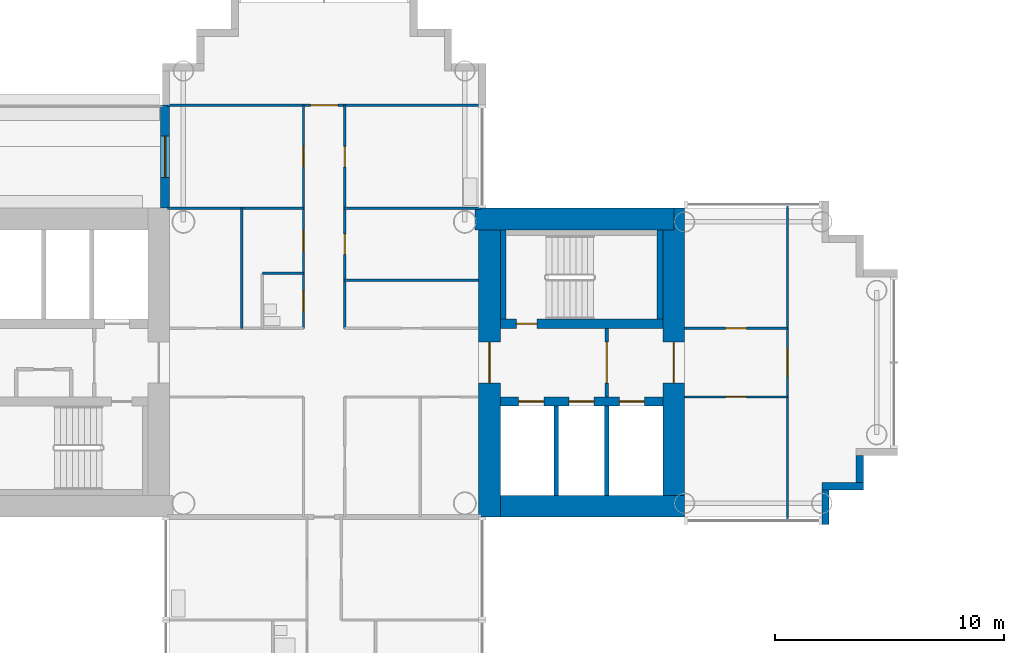
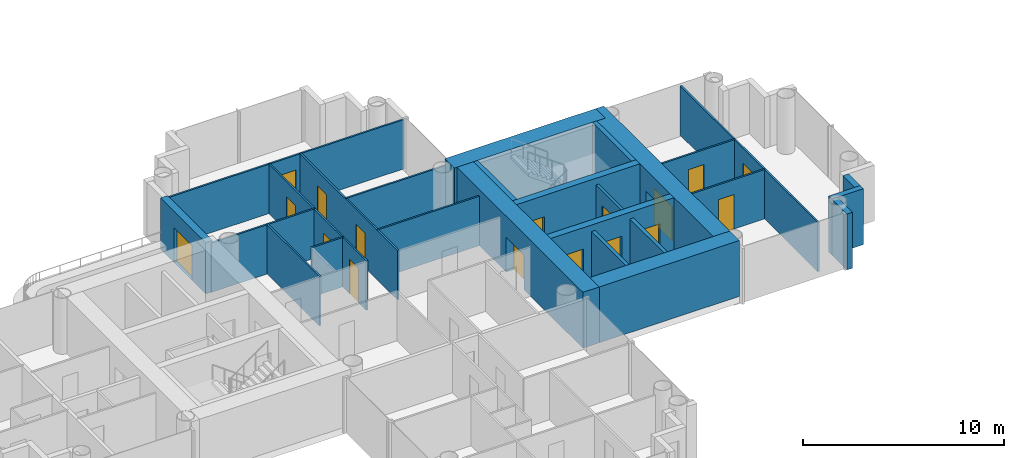
# One storey, part 11 of 22: 26 walls, 17 doors, 17 openings.
"""IFC4 building model written with IfcOpenShell, lengths in metres."""

from ifc_helpers import new_model, si_unit, direction, frame, frame_2d, origin, place, context, subcontext, project, spatial, rectangle, extrude, material, layer, layer_set, type_object, element, fill, save


model = new_model("IFC4")

# Units and contexts
model_context = context("Model", 3, precision=1e-05, world=origin(), true_north=direction((0.0, 1.0)))
body_context = subcontext(model_context, "Body", "Model", "MODEL_VIEW")
ifc_project = project(units=[si_unit("LENGTHUNIT", "METRE"), si_unit("AREAUNIT", "SQUARE_METRE"), si_unit("VOLUMEUNIT", "CUBIC_METRE"), si_unit("PLANEANGLEUNIT", "RADIAN"), si_unit("MASSUNIT", "GRAM", prefix="KILO")], contexts=[model_context])

# Site, building, storey
site_placement = place(None, origin())
site = spatial("IfcSite", under=ifc_project, at=site_placement, CompositionType="ELEMENT")
building_placement = place(site_placement, origin())
building = spatial("IfcBuilding", under=site, at=building_placement, Name="Ipe Terrace Towers", CompositionType="ELEMENT")
storey_placement = place(building_placement, frame((0.0, 0.0, 90.199951171875)))
storey = spatial("IfcBuildingStorey", under=building, at=storey_placement, Name="L24", CompositionType="ELEMENT", Elevation=90.199951171875)

# Wall, opening, door
ifc_material_1 = material(Name="Concrete C40/50 with buff precast cladding", Category="concrete")
ifc_layer_1 = layer(ifc_material_1, 0.39990234375)
ifc_layer_set_1 = layer_set([ifc_layer_1], Name="BALCONY BAY WALL 400")
wall_type_1 = type_object("IfcWallType", Name="BALCONY BAY WALL 400", PredefinedType="STANDARD", material=ifc_layer_set_1)
wall_1_placement = place(storey_placement, frame((-42.949951171875, 11.25, -0.02001953125), z_axis=(0.0, 0.0, 1.0), x_axis=(0.0, -1.0, 0.0)))
wall_1 = element("IfcWall", 1, at=wall_1_placement, inside=storey, type_object=wall_type_1, Name="T1-W-L24-44a wall", PredefinedType="STANDARD", context=body_context, shape_type="SweptSolid", body=[
    extrude(rectangle(XDim=4.5, YDim=0.39990234375, at=frame_2d((2.25, 0.0))), origin(), (0.0, 0.0, 1.0), 3.1201171875),
])
opening_1_placement = place(wall_1_placement, frame((1.35009765625, 0.0, 0.02001953125)))
opening_1 = element("IfcOpeningElement", 2, at=opening_1_placement, cuts=wall_1, Name="Opening T1-D-L24-44", PredefinedType="OPENING", context=body_context, shape_type="SweptSolid", body=[
    extrude(rectangle(XDim=1.800048828125, YDim=2.10009765625, at=frame_2d((0.89990234375, 1.050048828125))), frame((0.0, 0.2099609375, 0.0), z_axis=(0.0, -1.0, 0.0), x_axis=(1.0, 0.0, 0.0)), (0.0, 0.0, 1.0), 0.419921875),
])
ifc_material_2 = material(Name="Aluminium alloy 6063-T6 framed glazed door", Category="aluminium")
door_type_1 = type_object("IfcDoorType", Name="BALCONY DOOR 1800 x 2100 LEFT", OperationType="SINGLE_SWING_LEFT", PredefinedType="DOOR", material=ifc_material_2)
door_1_placement = place(opening_1_placement, origin())
door_1 = element("IfcDoor", 3, at=door_1_placement, inside=storey, type_object=door_type_1, Name="DB1 door", OperationType="SINGLE_SWING_LEFT", OverallHeight=2.10009765625, OverallWidth=1.800048828125, PredefinedType="DOOR", context=body_context, shape_type="SweptSolid", body=[
    extrude(rectangle(XDim=1.800048828125, YDim=2.10009765625, at=frame_2d((0.89990234375, 1.050048828125))), frame((0.0, 0.02490234375, 0.0), z_axis=(0.0, -1.0, 0.0), x_axis=(1.0, 0.0, 0.0)), (0.0, 0.0, 1.0), 0.050048828125),
])
fill(opening_1, door_1)

# Walls
ifc_material_3 = material(Name="Concrete C40/50 with buff precast cladding", Category="concrete")
ifc_layer_2 = layer(ifc_material_3, 0.320068359375)
ifc_layer_set_2 = layer_set([ifc_layer_2], Name="BUFF CLADDING WALL 320")
wall_type_2 = type_object("IfcWallType", Name="BUFF CLADDING WALL 320", PredefinedType="STANDARD", material=ifc_layer_set_2)
wall_2_placement = place(storey_placement, frame((-14.090087890625, -7.070068359375, -0.300048828125), z_axis=(0.0, 0.0, 1.0), x_axis=(0.0, 1.0, 0.0)))
element("IfcWall", 4, at=wall_2_placement, inside=storey, type_object=wall_type_2, Name="T1-W-L24-21a wall", PredefinedType="STANDARD", context=body_context, shape_type="SweptSolid", body=[
    extrude(rectangle(XDim=1.5, YDim=0.320068359375, at=frame_2d((0.75, 0.0))), origin(), (0.0, 0.0, 1.0), 3.400146484375),
])
wall_3_placement = place(storey_placement, frame((-14.25, -5.409912109375, -0.300048828125), z_axis=(0.0, 0.0, 1.0), x_axis=(1.0, 0.0, 0.0)))
element("IfcWall", 5, at=wall_3_placement, inside=storey, type_object=wall_type_2, Name="T1-W-L24-22a wall", PredefinedType="STANDARD", context=body_context, shape_type="SweptSolid", body=[
    extrude(rectangle(XDim=1.820068359375, YDim=0.320068359375, at=frame_2d((0.91015625, 0.0))), origin(), (0.0, 0.0, 1.0), 3.400146484375),
])
wall_4_placement = place(storey_placement, frame((-12.590087890625, -5.25, -0.300048828125), z_axis=(0.0, 0.0, 1.0), x_axis=(0.0, 1.0, 0.0)))
element("IfcWall", 6, at=wall_4_placement, inside=storey, type_object=wall_type_2, Name="T1-W-L24-23a wall", PredefinedType="STANDARD", context=body_context, shape_type="SweptSolid", body=[
    extrude(rectangle(XDim=1.179931640625, YDim=0.320068359375, at=frame_2d((0.58984375, 0.0))), origin(), (0.0, 0.0, 1.0), 3.400146484375),
])
ifc_material_4 = material(Name="Gypsum board partition", Category="plasterboard")
ifc_layer_3 = layer(ifc_material_4, 0.10009765625)
ifc_layer_set_3 = layer_set([ifc_layer_3], Name="Gypsum board partition 100 mm")
wall_type_3 = type_object("IfcWallType", Name="Gypsum board partition 100 mm", PredefinedType="PARTITIONING", material=ifc_layer_set_3)
wall_5_placement = place(storey_placement, frame((-39.60009765625, 1.5, 0.0), z_axis=(0.0, 0.0, 1.0), x_axis=(0.0, 1.0, 0.0)))
element("IfcWall", 7, at=wall_5_placement, inside=storey, type_object=wall_type_3, Name="Gypsum board partition T1 L24 W04", PredefinedType="PARTITIONING", context=body_context, shape_type="SweptSolid", body=[
    extrude(rectangle(XDim=5.25, YDim=0.10009765625, at=frame_2d((2.625, 0.0))), origin(), (0.0, 0.0, 1.0), 3.0),
])

# Wall, openings, doors
wall_6_placement = place(storey_placement, frame((-36.89990234375, 1.5, 0.0), z_axis=(0.0, 0.0, 1.0), x_axis=(0.0, 1.0, 0.0)))
wall_6 = element("IfcWall", 8, at=wall_6_placement, inside=storey, type_object=wall_type_3, Name="Gypsum board partition T1 L24 W08", PredefinedType="PARTITIONING", context=body_context, shape_type="SweptSolid", body=[
    extrude(rectangle(XDim=9.75, YDim=0.10009765625, at=frame_2d((4.875, 0.0))), origin(), (0.0, 0.0, 1.0), 3.0),
])
opening_2_placement = place(wall_6_placement, frame((0.75, 0.0, 0.0)))
opening_2 = element("IfcOpeningElement", 9, at=opening_2_placement, cuts=wall_6, Name="Opening T1-Z2C-01", PredefinedType="OPENING", context=body_context, shape_type="SweptSolid", body=[
    extrude(rectangle(XDim=0.89990234375, YDim=2.10009765625, at=frame_2d((0.449951171875, 1.050048828125))), frame((0.0, 0.06005859375, 0.0), z_axis=(0.0, -1.0, 0.0), x_axis=(1.0, 0.0, 0.0)), (0.0, 0.0, 1.0), 0.1201171875),
])
opening_3_placement = place(wall_6_placement, frame((3.375, 0.0, 0.0)))
opening_3 = element("IfcOpeningElement", 10, at=opening_3_placement, cuts=wall_6, Name="Opening T1-Z2C-04", PredefinedType="OPENING", context=body_context, shape_type="SweptSolid", body=[
    extrude(rectangle(XDim=0.89990234375, YDim=2.10009765625, at=frame_2d((0.449951171875, 1.050048828125))), frame((0.0, 0.06005859375, 0.0), z_axis=(0.0, -1.0, 0.0), x_axis=(1.0, 0.0, 0.0)), (0.0, 0.0, 1.0), 0.1201171875),
])
opening_4_placement = place(wall_6_placement, frame((7.050048828125, 0.0, 0.0)))
opening_4 = element("IfcOpeningElement", 11, at=opening_4_placement, cuts=wall_6, Name="Opening T1-Z2C-09", PredefinedType="OPENING", context=body_context, shape_type="SweptSolid", body=[
    extrude(rectangle(XDim=0.89990234375, YDim=2.10009765625, at=frame_2d((0.449951171875, 1.050048828125))), frame((0.0, 0.06005859375, 0.0), z_axis=(0.0, -1.0, 0.0), x_axis=(1.0, 0.0, 0.0)), (0.0, 0.0, 1.0), 0.1201171875),
])
ifc_material_5 = material(Name="Timber door leaf", Category="wood")
door_type_2 = type_object("IfcDoorType", Name="Bathroom door 900 x 2100", OperationType="NOTDEFINED", PredefinedType="DOOR", material=ifc_material_5)
door_2_placement = place(opening_2_placement, origin())
door_2 = element("IfcDoor", 12, at=door_2_placement, inside=storey, type_object=door_type_2, Name="Bathroom door T1-Z2C-01", OperationType="SINGLE_SWING_RIGHT", OverallHeight=2.10009765625, OverallWidth=0.89990234375, PredefinedType="DOOR", context=body_context, shape_type="SweptSolid", body=[
    extrude(rectangle(XDim=0.89990234375, YDim=2.10009765625, at=frame_2d((0.449951171875, 1.050048828125))), frame((0.0, 0.02490234375, 0.0), z_axis=(0.0, -1.0, 0.0), x_axis=(1.0, 0.0, 0.0)), (0.0, 0.0, 1.0), 0.050048828125),
])
fill(opening_2, door_2)
ifc_material_6 = material(Name="Timber door leaf", Category="wood")
door_type_3 = type_object("IfcDoorType", Name="Lounge door 900 x 2100", OperationType="NOTDEFINED", PredefinedType="DOOR", material=ifc_material_6)
door_3_placement = place(opening_3_placement, origin())
door_3 = element("IfcDoor", 13, at=door_3_placement, inside=storey, type_object=door_type_3, Name="Lounge door T1-Z2C-04", OperationType="SINGLE_SWING_RIGHT", OverallHeight=2.10009765625, OverallWidth=0.89990234375, PredefinedType="DOOR", context=body_context, shape_type="SweptSolid", body=[
    extrude(rectangle(XDim=0.89990234375, YDim=2.10009765625, at=frame_2d((0.449951171875, 1.050048828125))), frame((0.0, 0.02490234375, 0.0), z_axis=(0.0, -1.0, 0.0), x_axis=(1.0, 0.0, 0.0)), (0.0, 0.0, 1.0), 0.050048828125),
])
fill(opening_3, door_3)
door_4_placement = place(opening_4_placement, origin())
door_4 = element("IfcDoor", 14, at=door_4_placement, inside=storey, type_object=door_type_3, Name="Lounge door T1-Z2C-09", OperationType="SINGLE_SWING_LEFT", OverallHeight=2.10009765625, OverallWidth=0.89990234375, PredefinedType="DOOR", context=body_context, shape_type="SweptSolid", body=[
    extrude(rectangle(XDim=0.89990234375, YDim=2.10009765625, at=frame_2d((0.449951171875, 1.050048828125))), frame((0.0, 0.02490234375, 0.0), z_axis=(0.0, -1.0, 0.0), x_axis=(1.0, 0.0, 0.0)), (0.0, 0.0, 1.0), 0.050048828125),
])
fill(opening_4, door_4)

wall_7_placement = place(storey_placement, frame((-35.10009765625, 1.5, 0.0), z_axis=(0.0, 0.0, 1.0), x_axis=(0.0, 1.0, 0.0)))
wall_7 = element("IfcWall", 15, at=wall_7_placement, inside=storey, type_object=wall_type_3, Name="Gypsum board partition T1 L24 W12", PredefinedType="PARTITIONING", context=body_context, shape_type="SweptSolid", body=[
    extrude(rectangle(XDim=9.75, YDim=0.10009765625, at=frame_2d((4.875, 0.0))), origin(), (0.0, 0.0, 1.0), 3.0),
])
opening_5_placement = place(wall_7_placement, frame((3.22509765625, 0.0, 0.0)))
opening_5 = element("IfcOpeningElement", 16, at=opening_5_placement, cuts=wall_7, Name="Opening T1-Z2C-03", PredefinedType="OPENING", context=body_context, shape_type="SweptSolid", body=[
    extrude(rectangle(XDim=0.89990234375, YDim=2.10009765625, at=frame_2d((0.449951171875, 1.050048828125))), frame((0.0, 0.06005859375, 0.0), z_axis=(0.0, -1.0, 0.0), x_axis=(1.0, 0.0, 0.0)), (0.0, 0.0, 1.0), 0.1201171875),
])
opening_6_placement = place(wall_7_placement, frame((7.050048828125, 0.0, 0.0)))
opening_6 = element("IfcOpeningElement", 17, at=opening_6_placement, cuts=wall_7, Name="Opening T1-Z2C-10", PredefinedType="OPENING", context=body_context, shape_type="SweptSolid", body=[
    extrude(rectangle(XDim=0.89990234375, YDim=2.10009765625, at=frame_2d((0.449951171875, 1.050048828125))), frame((0.0, 0.06005859375, 0.0), z_axis=(0.0, -1.0, 0.0), x_axis=(1.0, 0.0, 0.0)), (0.0, 0.0, 1.0), 0.1201171875),
])
door_5_placement = place(opening_5_placement, origin())
door_5 = element("IfcDoor", 18, at=door_5_placement, inside=storey, type_object=door_type_3, Name="Lounge door T1-Z2C-03", OperationType="SINGLE_SWING_LEFT", OverallHeight=2.10009765625, OverallWidth=0.89990234375, PredefinedType="DOOR", context=body_context, shape_type="SweptSolid", body=[
    extrude(rectangle(XDim=0.89990234375, YDim=2.10009765625, at=frame_2d((0.449951171875, 1.050048828125))), frame((0.0, 0.02490234375, 0.0), z_axis=(0.0, -1.0, 0.0), x_axis=(1.0, 0.0, 0.0)), (0.0, 0.0, 1.0), 0.050048828125),
])
fill(opening_5, door_5)
door_6_placement = place(opening_6_placement, origin())
door_6 = element("IfcDoor", 19, at=door_6_placement, inside=storey, type_object=door_type_3, Name="Lounge door T1-Z2C-10", OperationType="SINGLE_SWING_RIGHT", OverallHeight=2.10009765625, OverallWidth=0.89990234375, PredefinedType="DOOR", context=body_context, shape_type="SweptSolid", body=[
    extrude(rectangle(XDim=0.89990234375, YDim=2.10009765625, at=frame_2d((0.449951171875, 1.050048828125))), frame((0.0, 0.02490234375, 0.0), z_axis=(0.0, -1.0, 0.0), x_axis=(1.0, 0.0, 0.0)), (0.0, 0.0, 1.0), 0.050048828125),
])
fill(opening_6, door_6)

# Wall, opening, door
wall_8_placement = place(storey_placement, frame((-15.75, -6.85009765625, 0.0), z_axis=(0.0, 0.0, 1.0), x_axis=(0.0, 1.0, 0.0)))
wall_8 = element("IfcWall", 20, at=wall_8_placement, inside=storey, type_object=wall_type_3, Name="Gypsum board partition T1 L24 W15", PredefinedType="PARTITIONING", context=body_context, shape_type="SweptSolid", body=[
    extrude(rectangle(XDim=13.7001953125, YDim=0.10009765625, at=frame_2d((6.85009765625, 0.0))), origin(), (0.0, 0.0, 1.0), 3.0),
])
opening_7_placement = place(wall_8_placement, frame((6.25, 0.0, 0.0)))
opening_7 = element("IfcOpeningElement", 21, at=opening_7_placement, cuts=wall_8, Name="Opening T1-Z2C-24", PredefinedType="OPENING", context=body_context, shape_type="SweptSolid", body=[
    extrude(rectangle(XDim=1.199951171875, YDim=2.10009765625, at=frame_2d((0.60009765625, 1.050048828125))), frame((0.0, 0.06005859375, 0.0), z_axis=(0.0, -1.0, 0.0), x_axis=(1.0, 0.0, 0.0)), (0.0, 0.0, 1.0), 0.1201171875),
])
ifc_material_7 = material(Name="Timber door leaf", Category="wood")
door_type_4 = type_object("IfcDoorType", Name="Lounge door 1200 x 2100", OperationType="NOTDEFINED", PredefinedType="DOOR", material=ifc_material_7)
door_7_placement = place(opening_7_placement, origin())
door_7 = element("IfcDoor", 22, at=door_7_placement, inside=storey, type_object=door_type_4, Name="Lounge door T1-Z2C-24", OperationType="SINGLE_SWING_RIGHT", OverallHeight=2.10009765625, OverallWidth=1.199951171875, PredefinedType="DOOR", context=body_context, shape_type="SweptSolid", body=[
    extrude(rectangle(XDim=1.199951171875, YDim=2.10009765625, at=frame_2d((0.60009765625, 1.050048828125))), frame((0.0, 0.02490234375, 0.0), z_axis=(0.0, -1.0, 0.0), x_axis=(1.0, 0.0, 0.0)), (0.0, 0.0, 1.0), 0.050048828125),
])
fill(opening_7, door_7)

wall_9_placement = place(storey_placement, frame((-20.25, -1.5, 0.0), z_axis=(0.0, 0.0, 1.0), x_axis=(1.0, 0.0, 0.0)))
wall_9 = element("IfcWall", 23, at=wall_9_placement, inside=storey, type_object=wall_type_3, Name="Gypsum board partition T1 L24 W26", PredefinedType="PARTITIONING", context=body_context, shape_type="SweptSolid", body=[
    extrude(rectangle(XDim=4.5, YDim=0.10009765625, at=frame_2d((2.25, 0.0))), origin(), (0.0, 0.0, 1.0), 3.0),
])
opening_8_placement = place(wall_9_placement, frame((1.800048828125, 0.0, 0.0)))
opening_8 = element("IfcOpeningElement", 24, at=opening_8_placement, cuts=wall_9, Name="Opening T1-Z2C-23", PredefinedType="OPENING", context=body_context, shape_type="SweptSolid", body=[
    extrude(rectangle(XDim=0.89990234375, YDim=2.10009765625, at=frame_2d((0.449951171875, 1.050048828125))), frame((0.0, 0.06005859375, 0.0), z_axis=(0.0, -1.0, 0.0), x_axis=(1.0, 0.0, 0.0)), (0.0, 0.0, 1.0), 0.1201171875),
])
door_8_placement = place(opening_8_placement, origin())
door_8 = element("IfcDoor", 25, at=door_8_placement, inside=storey, type_object=door_type_3, Name="Lounge door T1-Z2C-23", OperationType="SINGLE_SWING_RIGHT", OverallHeight=2.10009765625, OverallWidth=0.89990234375, PredefinedType="DOOR", context=body_context, shape_type="SweptSolid", body=[
    extrude(rectangle(XDim=0.89990234375, YDim=2.10009765625, at=frame_2d((0.449951171875, 1.050048828125))), frame((0.0, 0.02490234375, 0.0), z_axis=(0.0, -1.0, 0.0), x_axis=(1.0, 0.0, 0.0)), (0.0, 0.0, 1.0), 0.050048828125),
])
fill(opening_8, door_8)

wall_10_placement = place(storey_placement, frame((-20.25, 1.5, 0.0), z_axis=(0.0, 0.0, 1.0), x_axis=(1.0, 0.0, 0.0)))
wall_10 = element("IfcWall", 26, at=wall_10_placement, inside=storey, type_object=wall_type_3, Name="Gypsum board partition T1 L24 W32", PredefinedType="PARTITIONING", context=body_context, shape_type="SweptSolid", body=[
    extrude(rectangle(XDim=4.5, YDim=0.10009765625, at=frame_2d((2.25, 0.0))), origin(), (0.0, 0.0, 1.0), 3.0),
])
opening_9_placement = place(wall_10_placement, frame((1.800048828125, 0.0, 0.0)))
opening_9 = element("IfcOpeningElement", 27, at=opening_9_placement, cuts=wall_10, Name="Opening T1-Z2C-22", PredefinedType="OPENING", context=body_context, shape_type="SweptSolid", body=[
    extrude(rectangle(XDim=0.89990234375, YDim=2.10009765625, at=frame_2d((0.449951171875, 1.050048828125))), frame((0.0, 0.06005859375, 0.0), z_axis=(0.0, -1.0, 0.0), x_axis=(1.0, 0.0, 0.0)), (0.0, 0.0, 1.0), 0.1201171875),
])
door_9_placement = place(opening_9_placement, origin())
door_9 = element("IfcDoor", 28, at=door_9_placement, inside=storey, type_object=door_type_3, Name="Lounge door T1-Z2C-22", OperationType="SINGLE_SWING_LEFT", OverallHeight=2.10009765625, OverallWidth=0.89990234375, PredefinedType="DOOR", context=body_context, shape_type="SweptSolid", body=[
    extrude(rectangle(XDim=0.89990234375, YDim=2.10009765625, at=frame_2d((0.449951171875, 1.050048828125))), frame((0.0, 0.02490234375, 0.0), z_axis=(0.0, -1.0, 0.0), x_axis=(1.0, 0.0, 0.0)), (0.0, 0.0, 1.0), 0.050048828125),
])
fill(opening_9, door_9)

# Walls
wall_11_placement = place(storey_placement, frame((-35.10009765625, 3.60009765625, 0.0), z_axis=(0.0, 0.0, 1.0), x_axis=(1.0, 0.0, 0.0)))
element("IfcWall", 29, at=wall_11_placement, inside=storey, type_object=wall_type_3, Name="Gypsum board partition T1 L24 W34", PredefinedType="PARTITIONING", context=body_context, shape_type="SweptSolid", body=[
    extrude(rectangle(XDim=5.85009765625, YDim=0.10009765625, at=frame_2d((2.925048828125, 0.0))), origin(), (0.0, 0.0, 1.0), 3.0),
])
wall_12_placement = place(storey_placement, frame((-38.699951171875, 3.89990234375, 0.0), z_axis=(0.0, 0.0, 1.0), x_axis=(1.0, 0.0, 0.0)))
element("IfcWall", 30, at=wall_12_placement, inside=storey, type_object=wall_type_3, Name="Gypsum board partition T1 L24 W35", PredefinedType="PARTITIONING", context=body_context, shape_type="SweptSolid", body=[
    extrude(rectangle(XDim=1.800048828125, YDim=0.10009765625, at=frame_2d((0.89990234375, 0.0))), origin(), (0.0, 0.0, 1.0), 3.0),
])
for number, where, z_axis, x_axis, name in (
    (31, (-42.85009765625, 6.75, 0.0), (0.0, 0.0, 1.0), (1.0, 0.0, 0.0), "Gypsum board partition T1 L24 W36"),
    (32, (-35.10009765625, 6.75, 0.0), (0.0, 0.0, 1.0), (1.0, 0.0, 0.0), "Gypsum board partition T1 L24 W37"),
):
    element("IfcWall", number, at=place(storey_placement, frame(where, z_axis=z_axis, x_axis=x_axis)), inside=storey, type_object=wall_type_3, Name=name, PredefinedType="PARTITIONING", context=body_context, shape_type="SweptSolid", body=[
        extrude(rectangle(XDim=5.9501953125, YDim=0.10009765625, at=frame_2d((2.97509765625, 0.0))), origin(), (0.0, 0.0, 1.0), 3.0),
    ])

# Wall, opening, door
wall_13_placement = place(storey_placement, frame((-42.85009765625, 11.25, 0.0), z_axis=(0.0, 0.0, 1.0), x_axis=(1.0, 0.0, 0.0)))
wall_13 = element("IfcWall", 33, at=wall_13_placement, inside=storey, type_object=wall_type_3, Name="Gypsum board partition T1 L24 W38", PredefinedType="PARTITIONING", context=body_context, shape_type="SweptSolid", body=[
    extrude(rectangle(XDim=13.7001953125, YDim=0.10009765625, at=frame_2d((6.85009765625, 0.0))), origin(), (0.0, 0.0, 1.0), 3.0),
])
opening_10_placement = place(wall_13_placement, frame((6.25, 0.0, 0.0)))
opening_10 = element("IfcOpeningElement", 34, at=opening_10_placement, cuts=wall_13, Name="Opening T1-Z2C-11", PredefinedType="OPENING", context=body_context, shape_type="SweptSolid", body=[
    extrude(rectangle(XDim=1.199951171875, YDim=2.10009765625, at=frame_2d((0.60009765625, 1.050048828125))), frame((0.0, 0.06005859375, 0.0), z_axis=(0.0, -1.0, 0.0), x_axis=(1.0, 0.0, 0.0)), (0.0, 0.0, 1.0), 0.1201171875),
])
door_10_placement = place(opening_10_placement, origin())
door_10 = element("IfcDoor", 35, at=door_10_placement, inside=storey, type_object=door_type_4, Name="Lounge door T1-Z2C-11", OperationType="SINGLE_SWING_LEFT", OverallHeight=2.10009765625, OverallWidth=1.199951171875, PredefinedType="DOOR", context=body_context, shape_type="SweptSolid", body=[
    extrude(rectangle(XDim=1.199951171875, YDim=2.10009765625, at=frame_2d((0.60009765625, 1.050048828125))), frame((0.0, 0.02490234375, 0.0), z_axis=(0.0, -1.0, 0.0), x_axis=(1.0, 0.0, 0.0)), (0.0, 0.0, 1.0), 0.050048828125),
])
fill(opening_10, door_10)

ifc_material_8 = material(Name="Gypsum board partition", Category="plasterboard")
ifc_layer_4 = layer(ifc_material_8, 0.14990234375)
ifc_layer_set_4 = layer_set([ifc_layer_4], Name="Gypsum board partition 150 mm")
wall_type_4 = type_object("IfcWallType", Name="Gypsum board partition 150 mm", PredefinedType="PARTITIONING", material=ifc_layer_set_4)
wall_14_placement = place(storey_placement, frame((-23.64990234375, -1.5, 0.0), z_axis=(0.0, 0.0, 1.0), x_axis=(0.0, 1.0, 0.0)))
wall_14 = element("IfcWall", 36, at=wall_14_placement, inside=storey, type_object=wall_type_4, Name="Gypsum board partition T1 L24 t1c1-lobby-wall", PredefinedType="PARTITIONING", context=body_context, shape_type="SweptSolid", body=[
    extrude(rectangle(XDim=3.0, YDim=0.14990234375, at=frame_2d((1.5, 0.0))), origin(), (0.0, 0.0, 1.0), 3.0),
])
opening_11_placement = place(wall_14_placement, frame((0.60009765625, 0.0, 0.0)))
opening_11 = element("IfcOpeningElement", 37, at=opening_11_placement, cuts=wall_14, Name="Opening T1C1-VD", PredefinedType="OPENING", context=body_context, shape_type="SweptSolid", body=[
    extrude(rectangle(XDim=1.800048828125, YDim=2.10009765625, at=frame_2d((0.89990234375, 1.050048828125))), frame((0.0, 0.0849609375, 0.0), z_axis=(0.0, -1.0, 0.0), x_axis=(1.0, 0.0, 0.0)), (0.0, 0.0, 1.0), 0.169921875),
])
ifc_material_9 = material(Name="Fire-rated timber door leaf", Category="wood")
door_type_5 = type_object("IfcDoorType", Name="Lobby door 1800 x 2100 FD60", OperationType="NOTDEFINED", PredefinedType="DOOR", material=ifc_material_9)
door_11_placement = place(opening_11_placement, origin())
door_11 = element("IfcDoor", 38, at=door_11_placement, inside=storey, type_object=door_type_5, Name="Lobby door T1C1-VD", OperationType="SINGLE_SWING_LEFT", OverallHeight=2.10009765625, OverallWidth=1.800048828125, PredefinedType="DOOR", context=body_context, shape_type="SweptSolid", body=[
    extrude(rectangle(XDim=1.800048828125, YDim=2.10009765625, at=frame_2d((0.89990234375, 1.050048828125))), frame((0.0, 0.02490234375, 0.0), z_axis=(0.0, -1.0, 0.0), x_axis=(1.0, 0.0, 0.0)), (0.0, 0.0, 1.0), 0.050048828125),
])
fill(opening_11, door_11)

# Walls
ifc_material_10 = material(Name="Gypsum board party wall", Category="plasterboard")
ifc_layer_5 = layer(ifc_material_10, 0.199951171875)
ifc_layer_set_5 = layer_set([ifc_layer_5], Name="Gypsum board party wall 200 mm")
wall_type_5 = type_object("IfcWallType", Name="Gypsum board party wall 200 mm", PredefinedType="SOLIDWALL", material=ifc_layer_set_5)
for number, where, z_axis, x_axis, name in (
    (39, (-25.85009765625, -5.800048828125, 0.0), (0.0, 0.0, 1.0), (0.0, 1.0, 0.0), "Gypsum board party wall T1 L24 t1c1-shaft-div1"),
    (40, (-23.64990234375, -5.800048828125, 0.0), (0.0, 0.0, 1.0), (0.0, 1.0, 0.0), "Gypsum board party wall T1 L24 t1c1-shaft-div2"),
):
    element("IfcWall", number, at=place(storey_placement, frame(where, z_axis=z_axis, x_axis=x_axis)), inside=storey, type_object=wall_type_5, Name=name, PredefinedType="SOLIDWALL", context=body_context, shape_type="SweptSolid", body=[
        extrude(rectangle(XDim=3.900146484375, YDim=0.199951171875, at=frame_2d((1.9501953125, 0.0))), origin(), (0.0, 0.0, 1.0), 3.0),
    ])
ifc_material_11 = material(Name="Concrete C50/60", Category="concrete")
ifc_layer_6 = layer(ifc_material_11, 0.25)
ifc_layer_set_6 = layer_set([ifc_layer_6], Name="RW250 CORE INFILL WALL 250 C50-60")
wall_type_6 = type_object("IfcWallType", Name="RW250 CORE INFILL WALL 250 C50-60", PredefinedType="SHEAR", material=ifc_layer_set_6)
for number, where, z_axis, x_axis, name in (
    (41, (-21.324951171875, 1.89990234375, 0.0), (0.0, 0.0, 1.0), (0.0, 1.0, 0.0), "Core infill wall T1-C1-far"),
    (42, (-28.175048828125, 1.89990234375, 0.0), (0.0, 0.0, 1.0), (0.0, 1.0, 0.0), "Core infill wall T1-C1-near"),
):
    element("IfcWall", number, at=place(storey_placement, frame(where, z_axis=z_axis, x_axis=x_axis)), inside=storey, type_object=wall_type_6, Name=name, PredefinedType="SHEAR", context=body_context, shape_type="SweptSolid", body=[
        extrude(rectangle(XDim=3.900146484375, YDim=0.25, at=frame_2d((1.9501953125, 0.0))), origin(), (0.0, 0.0, 1.0), 3.400146484375),
    ])

# Wall, openings, doors
ifc_material_12 = material(Name="Concrete C50/60", Category="concrete")
ifc_layer_7 = layer(ifc_material_12, 0.39990234375)
ifc_layer_set_7 = layer_set([ifc_layer_7], Name="RW400 CORE SPINE WALL 400 C50-60")
wall_type_7 = type_object("IfcWallType", Name="RW400 CORE SPINE WALL 400 C50-60", PredefinedType="SHEAR", material=ifc_layer_set_7)
wall_15_placement = place(storey_placement, frame((-28.300048828125, -1.699951171875, 0.0), z_axis=(0.0, 0.0, 1.0), x_axis=(1.0, 0.0, 0.0)))
wall_15 = element("IfcWall", 43, at=wall_15_placement, inside=storey, type_object=wall_type_7, Name="Core spine wall T1-C1-Z2-SW1", PredefinedType="SHEAR", context=body_context, shape_type="SweptSolid", body=[
    extrude(rectangle(XDim=7.10009765625, YDim=0.39990234375, at=frame_2d((3.550048828125, 0.0))), origin(), (0.0, 0.0, 1.0), 3.400146484375),
])
opening_12_placement = place(wall_15_placement, frame((0.800048828125, 0.0, 0.0)))
opening_12 = element("IfcOpeningElement", 44, at=opening_12_placement, cuts=wall_15, Name="Opening T1C1-LD1", PredefinedType="OPENING", context=body_context, shape_type="SweptSolid", body=[
    extrude(rectangle(XDim=1.10009765625, YDim=2.10009765625, at=frame_2d((0.550048828125, 1.050048828125))), frame((0.0, 0.2099609375, 0.0), z_axis=(0.0, -1.0, 0.0), x_axis=(1.0, 0.0, 0.0)), (0.0, 0.0, 1.0), 0.419921875),
])
opening_13_placement = place(wall_15_placement, frame((3.0, 0.0, 0.0)))
opening_13 = element("IfcOpeningElement", 45, at=opening_13_placement, cuts=wall_15, Name="Opening T1C1-LD2", PredefinedType="OPENING", context=body_context, shape_type="SweptSolid", body=[
    extrude(rectangle(XDim=1.10009765625, YDim=2.10009765625, at=frame_2d((0.550048828125, 1.050048828125))), frame((0.0, 0.2099609375, 0.0), z_axis=(0.0, -1.0, 0.0), x_axis=(1.0, 0.0, 0.0)), (0.0, 0.0, 1.0), 0.419921875),
])
opening_14_placement = place(wall_15_placement, frame((5.199951171875, 0.0, 0.0)))
opening_14 = element("IfcOpeningElement", 46, at=opening_14_placement, cuts=wall_15, Name="Opening T1C1-LD3", PredefinedType="OPENING", context=body_context, shape_type="SweptSolid", body=[
    extrude(rectangle(XDim=1.10009765625, YDim=2.10009765625, at=frame_2d((0.550048828125, 1.050048828125))), frame((0.0, 0.2099609375, 0.0), z_axis=(0.0, -1.0, 0.0), x_axis=(1.0, 0.0, 0.0)), (0.0, 0.0, 1.0), 0.419921875),
])
ifc_material_13 = material(Name="Fire-rated timber door leaf", Category="wood")
door_type_6 = type_object("IfcDoorType", Name="Sliding door 1100 x 2100 FD60", OperationType="SLIDING_TO_LEFT", PredefinedType="DOOR", material=ifc_material_13)
door_12_placement = place(opening_12_placement, origin())
door_12 = element("IfcDoor", 47, at=door_12_placement, inside=storey, type_object=door_type_6, Name="Sliding door T1C1-LD1", OperationType="SLIDING_TO_LEFT", OverallHeight=2.10009765625, OverallWidth=1.10009765625, PredefinedType="DOOR", context=body_context, shape_type="SweptSolid", body=[
    extrude(rectangle(XDim=1.10009765625, YDim=2.10009765625, at=frame_2d((0.550048828125, 1.050048828125))), frame((0.0, 0.02490234375, 0.0), z_axis=(0.0, -1.0, 0.0), x_axis=(1.0, 0.0, 0.0)), (0.0, 0.0, 1.0), 0.050048828125),
])
fill(opening_12, door_12)
door_13_placement = place(opening_13_placement, origin())
door_13 = element("IfcDoor", 48, at=door_13_placement, inside=storey, type_object=door_type_6, Name="Sliding door T1C1-LD2", OperationType="SLIDING_TO_LEFT", OverallHeight=2.10009765625, OverallWidth=1.10009765625, PredefinedType="DOOR", context=body_context, shape_type="SweptSolid", body=[
    extrude(rectangle(XDim=1.10009765625, YDim=2.10009765625, at=frame_2d((0.550048828125, 1.050048828125))), frame((0.0, 0.02490234375, 0.0), z_axis=(0.0, -1.0, 0.0), x_axis=(1.0, 0.0, 0.0)), (0.0, 0.0, 1.0), 0.050048828125),
])
fill(opening_13, door_13)
door_14_placement = place(opening_14_placement, origin())
door_14 = element("IfcDoor", 49, at=door_14_placement, inside=storey, type_object=door_type_6, Name="Sliding door T1C1-LD3", OperationType="SLIDING_TO_LEFT", OverallHeight=2.10009765625, OverallWidth=1.10009765625, PredefinedType="DOOR", context=body_context, shape_type="SweptSolid", body=[
    extrude(rectangle(XDim=1.10009765625, YDim=2.10009765625, at=frame_2d((0.550048828125, 1.050048828125))), frame((0.0, 0.02490234375, 0.0), z_axis=(0.0, -1.0, 0.0), x_axis=(1.0, 0.0, 0.0)), (0.0, 0.0, 1.0), 0.050048828125),
])
fill(opening_14, door_14)

# Wall, opening, door
wall_16_placement = place(storey_placement, frame((-28.300048828125, 1.699951171875, 0.0), z_axis=(0.0, 0.0, 1.0), x_axis=(1.0, 0.0, 0.0)))
wall_16 = element("IfcWall", 50, at=wall_16_placement, inside=storey, type_object=wall_type_7, Name="Core spine wall T1-C1-Z2-SW2", PredefinedType="SHEAR", context=body_context, shape_type="SweptSolid", body=[
    extrude(rectangle(XDim=7.10009765625, YDim=0.39990234375, at=frame_2d((3.550048828125, 0.0))), origin(), (0.0, 0.0, 1.0), 3.400146484375),
])
opening_15_placement = place(wall_16_placement, frame((0.699951171875, 0.0, 0.0)))
opening_15 = element("IfcOpeningElement", 51, at=opening_15_placement, cuts=wall_16, Name="Opening T1C1-SD", PredefinedType="OPENING", context=body_context, shape_type="SweptSolid", body=[
    extrude(rectangle(XDim=0.89990234375, YDim=2.10009765625, at=frame_2d((0.449951171875, 1.050048828125))), frame((0.0, 0.2099609375, 0.0), z_axis=(0.0, -1.0, 0.0), x_axis=(1.0, 0.0, 0.0)), (0.0, 0.0, 1.0), 0.419921875),
])
ifc_material_14 = material(Name="Fire-rated timber door leaf", Category="wood")
door_type_7 = type_object("IfcDoorType", Name="Stair door 900 x 2100 FD60", OperationType="NOTDEFINED", PredefinedType="DOOR", material=ifc_material_14)
door_15_placement = place(opening_15_placement, origin())
door_15 = element("IfcDoor", 52, at=door_15_placement, inside=storey, type_object=door_type_7, Name="Stair door T1C1-SD", OperationType="SINGLE_SWING_LEFT", OverallHeight=2.10009765625, OverallWidth=0.89990234375, PredefinedType="DOOR", context=body_context, shape_type="SweptSolid", body=[
    extrude(rectangle(XDim=0.89990234375, YDim=2.10009765625, at=frame_2d((0.449951171875, 1.050048828125))), frame((0.0, 0.02490234375, 0.0), z_axis=(0.0, -1.0, 0.0), x_axis=(1.0, 0.0, 0.0)), (0.0, 0.0, 1.0), 0.050048828125),
])
fill(opening_15, door_15)

# Wall
ifc_material_15 = material(Name="Concrete C50/60", Category="concrete")
ifc_layer_8 = layer(ifc_material_15, 0.949951171875)
ifc_layer_set_8 = layer_set([ifc_layer_8], Name="RW950 CORE WALL 950 C50-60")
wall_type_8 = type_object("IfcWallType", Name="RW950 CORE WALL 950 C50-60", PredefinedType="SHEAR", material=ifc_layer_set_8)
wall_17_placement = place(storey_placement, frame((-28.300048828125, -6.27490234375, 0.0), z_axis=(0.0, 0.0, 1.0), x_axis=(1.0, 0.0, 0.0)))
element("IfcWall", 53, at=wall_17_placement, inside=storey, type_object=wall_type_8, Name="Core wall T1-C1-Z2-W01", PredefinedType="SHEAR", context=body_context, shape_type="SweptSolid", body=[
    extrude(rectangle(XDim=8.050048828125, YDim=0.949951171875, at=frame_2d((4.02490234375, 0.0))), origin(), (0.0, 0.0, 1.0), 3.400146484375),
])

# Wall, opening, door
wall_18_placement = place(storey_placement, frame((-20.72509765625, -5.800048828125, 0.0), z_axis=(0.0, 0.0, 1.0), x_axis=(0.0, 1.0, 0.0)))
wall_18 = element("IfcWall", 54, at=wall_18_placement, inside=storey, type_object=wall_type_8, Name="Core wall T1-C1-Z2-W02", PredefinedType="SHEAR", context=body_context, shape_type="SweptSolid", body=[
    extrude(rectangle(XDim=12.550048828125, YDim=0.949951171875, at=frame_2d((6.27490234375, 0.0))), origin(), (0.0, 0.0, 1.0), 3.400146484375),
])
opening_16_placement = place(wall_18_placement, frame((4.89990234375, 0.0, 0.0)))
opening_16 = element("IfcOpeningElement", 55, at=opening_16_placement, cuts=wall_18, Name="Opening T1C1-FD", PredefinedType="OPENING", context=body_context, shape_type="SweptSolid", body=[
    extrude(rectangle(XDim=1.800048828125, YDim=2.10009765625, at=frame_2d((0.89990234375, 1.050048828125))), frame((0.0, 0.48486328125, 0.0), z_axis=(0.0, -1.0, 0.0), x_axis=(1.0, 0.0, 0.0)), (0.0, 0.0, 1.0), 0.969970703125),
])
ifc_material_16 = material(Name="Fire-rated timber door leaf", Category="wood")
door_type_8 = type_object("IfcDoorType", Name="Fire door 1800 x 2100 FD30S", OperationType="NOTDEFINED", PredefinedType="DOOR", material=ifc_material_16)
door_16_placement = place(opening_16_placement, origin())
door_16 = element("IfcDoor", 56, at=door_16_placement, inside=storey, type_object=door_type_8, Name="Fire door T1C1-FD", OperationType="SINGLE_SWING_LEFT", OverallHeight=2.10009765625, OverallWidth=1.800048828125, PredefinedType="DOOR", context=body_context, shape_type="SweptSolid", body=[
    extrude(rectangle(XDim=1.800048828125, YDim=2.10009765625, at=frame_2d((0.89990234375, 1.050048828125))), frame((0.0, 0.02490234375, 0.0), z_axis=(0.0, -1.0, 0.0), x_axis=(1.0, 0.0, 0.0)), (0.0, 0.0, 1.0), 0.050048828125),
])
fill(opening_16, door_16)

# Wall
wall_19_placement = place(storey_placement, frame((-20.701904296875, 6.27490234375, 0.0), z_axis=(0.0, 0.0, 1.0), x_axis=(-1.0, 0.0, 0.0)))
element("IfcWall", 57, at=wall_19_placement, inside=storey, type_object=wall_type_8, Name="Core wall T1-C1-Z2-W03", PredefinedType="SHEAR", context=body_context, shape_type="SweptSolid", body=[
    extrude(rectangle(XDim=8.696044921875, YDim=0.949951171875, at=frame_2d((4.34814453125, 0.0))), origin(), (0.0, 0.0, 1.0), 3.400146484375),
])

# Wall, opening, door
wall_20_placement = place(storey_placement, frame((-28.77490234375, 5.800048828125, 0.0), z_axis=(0.0, 0.0, 1.0), x_axis=(0.0, -1.0, 0.0)))
wall_20 = element("IfcWall", 58, at=wall_20_placement, inside=storey, type_object=wall_type_8, Name="Core wall T1-C1-Z2-W04", PredefinedType="SHEAR", context=body_context, shape_type="SweptSolid", body=[
    extrude(rectangle(XDim=12.550048828125, YDim=0.949951171875, at=frame_2d((6.27490234375, 0.0))), origin(), (0.0, 0.0, 1.0), 3.400146484375),
])
opening_17_placement = place(wall_20_placement, frame((4.89990234375, 0.0, 0.0)))
opening_17 = element("IfcOpeningElement", 59, at=opening_17_placement, cuts=wall_20, Name="Opening T1C1-ND", PredefinedType="OPENING", context=body_context, shape_type="SweptSolid", body=[
    extrude(rectangle(XDim=1.800048828125, YDim=2.10009765625, at=frame_2d((0.89990234375, 1.050048828125))), frame((0.0, 0.48486328125, 0.0), z_axis=(0.0, -1.0, 0.0), x_axis=(1.0, 0.0, 0.0)), (0.0, 0.0, 1.0), 0.969970703125),
])
door_17_placement = place(opening_17_placement, origin())
door_17 = element("IfcDoor", 60, at=door_17_placement, inside=storey, type_object=door_type_8, Name="Fire door T1C1-ND", OperationType="SINGLE_SWING_LEFT", OverallHeight=2.10009765625, OverallWidth=1.800048828125, PredefinedType="DOOR", context=body_context, shape_type="SweptSolid", body=[
    extrude(rectangle(XDim=1.800048828125, YDim=2.10009765625, at=frame_2d((0.89990234375, 1.050048828125))), frame((0.0, 0.02490234375, 0.0), z_axis=(0.0, -1.0, 0.0), x_axis=(1.0, 0.0, 0.0)), (0.0, 0.0, 1.0), 0.050048828125),
])
fill(opening_17, door_17)

save(model, "model.ifc")
